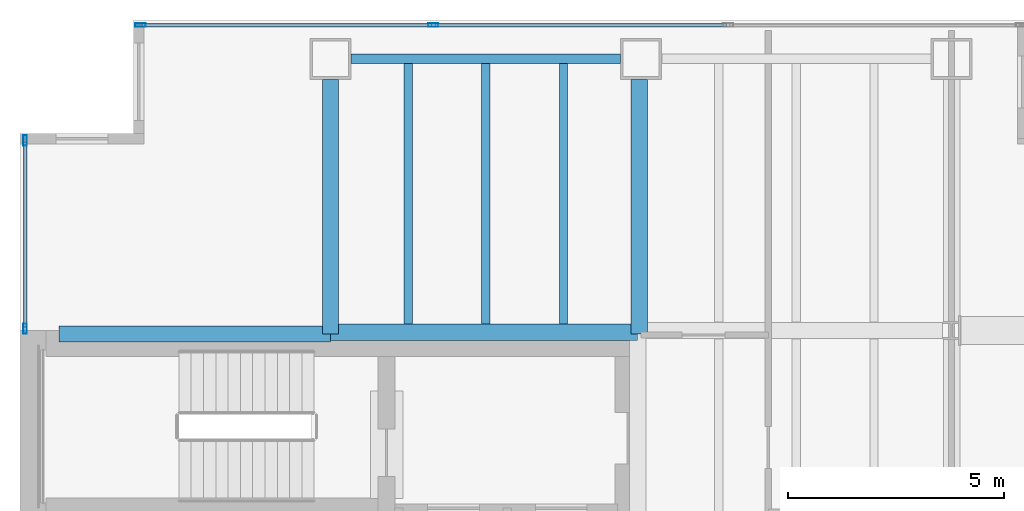
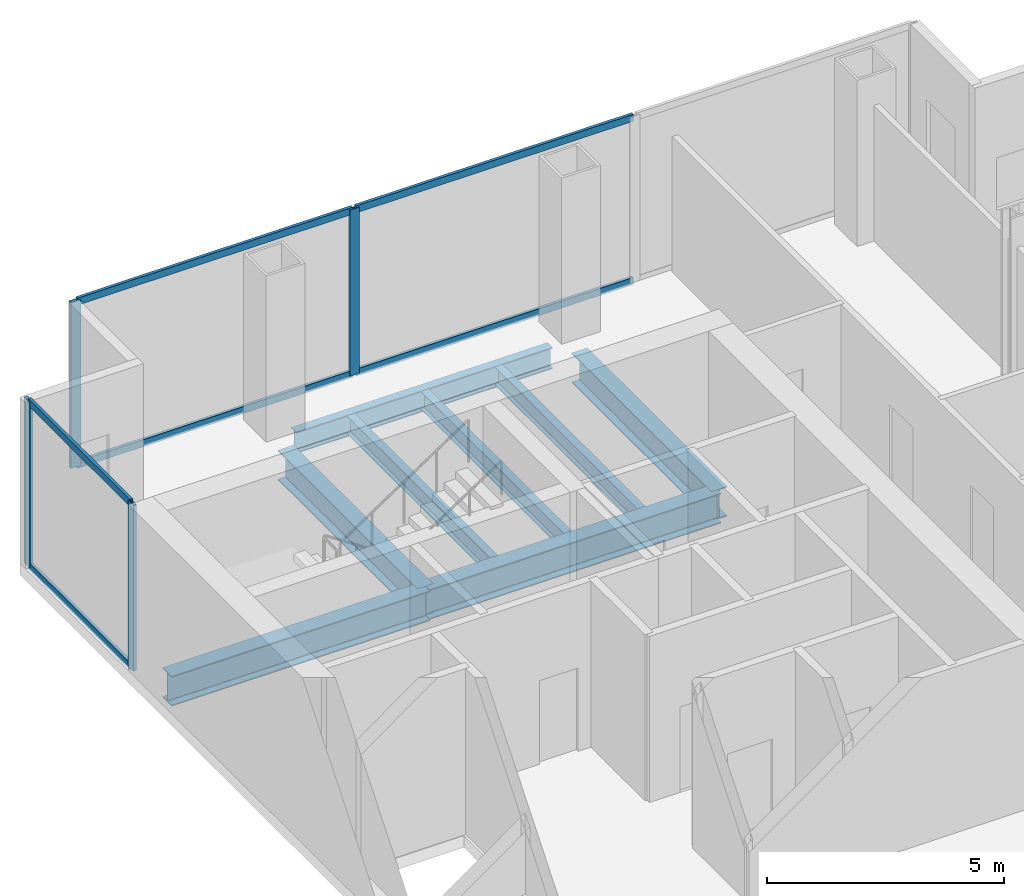
# One storey, part 9 of 16: 10 members, 8 beams, 2 elements without a shape of their own.
"""IFC4 building model written with IfcOpenShell, lengths in metres."""

from ifc_helpers import new_model, si_unit, direction, frame, origin, origin_2d, place, context, subcontext, project, spatial, hollow_rectangle, i_section, extrude, material, material_profile, profile_set, type_object, element, aggregate, save


model = new_model("IFC4")

# Units and contexts
model_context = context("Model", 3, precision=1e-05, world=origin(), true_north=direction((0.0, 1.0)))
body_context = subcontext(model_context, "Body", "Model", "MODEL_VIEW")
ifc_project = project(units=[si_unit("LENGTHUNIT", "METRE"), si_unit("AREAUNIT", "SQUARE_METRE"), si_unit("VOLUMEUNIT", "CUBIC_METRE"), si_unit("PLANEANGLEUNIT", "RADIAN"), si_unit("MASSUNIT", "GRAM", prefix="KILO")], contexts=[model_context])

# Site, building, storey
site_placement = place(None, origin())
site = spatial("IfcSite", under=ifc_project, at=site_placement, CompositionType="ELEMENT")
building_placement = place(site_placement, origin())
building = spatial("IfcBuilding", under=site, at=building_placement, Name="Cobrela Telecom Tower", CompositionType="ELEMENT")
storey_placement = place(building_placement, frame((0.0, 0.0, 97.64990234375)))
storey = spatial("IfcBuildingStorey", under=building, at=storey_placement, Name="L24", CompositionType="ELEMENT", Elevation=97.64990234375)

# Beams
ifc_material_1 = material(Name="Steel ASTM A992 Grade 50", Category="steel")
ifc_material_profile_1 = material_profile(ifc_material_1, i_section(OverallWidth=0.381103515625, OverallDepth=0.77197265625, WebThickness=0.0166015625, FlangeThickness=0.027099609375, FilletRadius=0.01904296875, at=origin_2d()), Name="W30X173")
ifc_profile_set_1 = profile_set([ifc_material_profile_1], Name="Steel ASTM A992 Grade 50")
beam_type_1 = type_object("IfcBeamType", Name="BM-GIRD-04", PredefinedType="USERDEFINED", material=ifc_profile_set_1)
beam_1_placement = place(storey_placement, frame((0.905029296875, 35.919921875, -0.685791015625), z_axis=(1.0, 0.0, 0.0), x_axis=(0.0, 1.0, 0.0)))
element("IfcBeam", 1, at=beam_1_placement, inside=storey, type_object=beam_type_1, Name="L24 Primary Girder X16", ObjectType="GIRDER", PredefinedType="USERDEFINED", context=body_context, shape_type="SweptSolid", body=[
    extrude(i_section(OverallWidth=0.381103515625, OverallDepth=0.77197265625, WebThickness=0.0166015625, FlangeThickness=0.027099609375, FilletRadius=0.01904296875, at=origin_2d()), origin(), (0.0, 0.0, 1.0), 6.2900390625),
])
beam_2_placement = place(storey_placement, frame((7.205078125, 35.9599609375, -0.685791015625), z_axis=(1.0, 0.0, 0.0), x_axis=(0.0, 1.0, 0.0)))
element("IfcBeam", 2, at=beam_2_placement, inside=storey, type_object=beam_type_1, Name="L24 Primary Girder X17", ObjectType="GIRDER", PredefinedType="USERDEFINED", context=body_context, shape_type="SweptSolid", body=[
    extrude(i_section(OverallWidth=0.381103515625, OverallDepth=0.77197265625, WebThickness=0.0166015625, FlangeThickness=0.027099609375, FilletRadius=0.01904296875, at=origin_2d()), origin(), (0.0, 0.0, 1.0), 7.10986328125),
])
for number, where, z_axis, x_axis, name in (
    (3, (7.199951171875, 35.925048828125, -0.685791015625), (0.0, 1.0, 0.0), (-1.0, 0.0, 0.0), "L24 Primary Girder Y21"),
    (4, (14.360107421875, 35.925048828125, -0.685791015625), (0.0, 1.0, 0.0), (-1.0, 0.0, 0.0), "L24 Primary Girder Y26"),
):
    element("IfcBeam", number, at=place(storey_placement, frame(where, z_axis=z_axis, x_axis=x_axis)), inside=storey, type_object=beam_type_1, Name=name, ObjectType="GIRDER", PredefinedType="USERDEFINED", context=body_context, shape_type="SweptSolid", body=[
        extrude(i_section(OverallWidth=0.381103515625, OverallDepth=0.77197265625, WebThickness=0.0166015625, FlangeThickness=0.027099609375, FilletRadius=0.01904296875, at=origin_2d()), origin(), (0.0, 0.0, 1.0), 5.89501953125),
    ])
ifc_material_profile_2 = material_profile(ifc_material_1, i_section(OverallWidth=0.193115234375, OverallDepth=0.467041015625, WebThickness=0.011474609375, FlangeThickness=0.01904296875, FilletRadius=0.012939453125, at=origin_2d()), Name="W18X65")
ifc_profile_set_2 = profile_set([ifc_material_profile_2], Name="Steel ASTM A992 Grade 50")
beam_type_2 = type_object("IfcBeamType", Name="BM-JOIST-03", PredefinedType="JOIST", material=ifc_profile_set_2)
for number, where, z_axis, x_axis, name in (
    (5, (9.0, 36.155517578125, -0.533447265625), (0.0, 1.0, 0.0), (-1.0, 0.0, 0.0), "L24 Secondary Composite Floor Beam J01"),
    (6, (10.800048828125, 36.155517578125, -0.533447265625), (0.0, 1.0, 0.0), (-1.0, 0.0, 0.0), "L24 Secondary Composite Floor Beam J02"),
    (7, (12.60009765625, 36.155517578125, -0.533447265625), (0.0, 1.0, 0.0), (-1.0, 0.0, 0.0), "L24 Secondary Composite Floor Beam J03"),
):
    element("IfcBeam", number, at=place(storey_placement, frame(where, z_axis=z_axis, x_axis=x_axis)), inside=storey, type_object=beam_type_2, Name=name, PredefinedType="JOIST", context=body_context, shape_type="SweptSolid", body=[
        extrude(i_section(OverallWidth=0.193115234375, OverallDepth=0.467041015625, WebThickness=0.011474609375, FlangeThickness=0.01904296875, FilletRadius=0.012939453125, at=origin_2d()), origin(), (0.0, 0.0, 1.0), 6.032958984375),
    ])
ifc_material_profile_3 = material_profile(ifc_material_1, i_section(OverallWidth=0.212890625, OverallDepth=0.549072265625, WebThickness=0.0146484375, FlangeThickness=0.023681640625, FilletRadius=0.013916015625, at=origin_2d()), Name="W21X93")
ifc_profile_set_3 = profile_set([ifc_material_profile_3], Name="Steel ASTM A992 Grade 50")
beam_type_3 = type_object("IfcBeamType", Name="BM-SPAND-03", PredefinedType="SPANDREL", material=ifc_profile_set_3)
beam_3_placement = place(storey_placement, frame((7.679931640625, 42.300048828125, -0.574462890625), z_axis=(1.0, 0.0, 0.0), x_axis=(0.0, 1.0, 0.0)))
element("IfcBeam", 8, at=beam_3_placement, inside=storey, type_object=beam_type_3, Name="L24 Perimeter Spandrel X19", PredefinedType="SPANDREL", context=body_context, shape_type="SweptSolid", body=[
    extrude(i_section(OverallWidth=0.212890625, OverallDepth=0.549072265625, WebThickness=0.0146484375, FlangeThickness=0.023681640625, FilletRadius=0.013916015625, at=origin_2d()), origin(), (0.0, 0.0, 1.0), 6.239990234375),
])

# Curtain wall, members
ifc_material_2 = material(Name="Anodized Bronze Aluminium 6063-T6", Category="aluminium")
curtain_wall_type = type_object("IfcCurtainWallType", Name="CW-SYS-SKY", PredefinedType="USERDEFINED", material=ifc_material_2)
curtain_wall_1_placement = place(storey_placement, origin())
curtain_wall_1 = element("IfcCurtainWall", 9, at=curtain_wall_1_placement, inside=storey, type_object=curtain_wall_type, Name="L24 Unitised Bronze Curtain Wall 04", ObjectType="UNITISED CURTAIN WALL", PredefinedType="USERDEFINED")
ifc_material_profile_4 = material_profile(ifc_material_2, hollow_rectangle(XDim=0.080078125, YDim=0.239990234375, WallThickness=0.0048828125, at=origin_2d()), Name="ALU 80x240x5")
ifc_profile_set_4 = profile_set([ifc_material_profile_4], Name="Anodized Bronze Aluminium 6063-T6")
member_type_1 = type_object("IfcMemberType", Name="CW-SYS-SKY-MUL", PredefinedType="MULLION", material=ifc_profile_set_4)
member_1_placement = place(storey_placement, frame((0.1201171875, 36.0400390625, 0.0), z_axis=(0.0, 0.0, 1.0), x_axis=(-1.0, 0.0, 0.0)))
member_1 = element("IfcMember", 10, at=member_1_placement, type_object=member_type_1, Name="CW-SKY mullion 1", PredefinedType="MULLION", context=body_context, shape_type="SweptSolid", body=[
    extrude(hollow_rectangle(XDim=0.080078125, YDim=0.239990234375, WallThickness=0.0048828125, at=origin_2d()), origin(), (0.0, 0.0, 1.0), 4.280029296875),
])
member_2_placement = place(storey_placement, frame((0.1201171875, 40.409912109375, 0.0), z_axis=(0.0, 0.0, 1.0), x_axis=(-1.0, 0.0, 0.0)))
member_2 = element("IfcMember", 11, at=member_2_placement, type_object=member_type_1, Name="CW-SKY mullion 2", PredefinedType="MULLION", context=body_context, shape_type="SweptSolid", body=[
    extrude(hollow_rectangle(XDim=0.080078125, YDim=0.239990234375, WallThickness=0.0048828125, at=origin_2d()), origin(), (0.0, 0.0, 1.0), 4.280029296875),
])

curtain_wall_2_placement = place(storey_placement, origin())
curtain_wall_2 = element("IfcCurtainWall", 12, at=curtain_wall_2_placement, inside=storey, type_object=curtain_wall_type, Name="L24 Unitised Bronze Curtain Wall 07", ObjectType="UNITISED CURTAIN WALL", PredefinedType="USERDEFINED")
member_3_placement = place(storey_placement, frame((2.7900390625, 43.080078125, 0.0), z_axis=(0.0, 0.0, 1.0), x_axis=(0.0, 1.0, 0.0)))
member_3 = element("IfcMember", 13, at=member_3_placement, type_object=member_type_1, Name="CW-SKY mullion 1", PredefinedType="MULLION", context=body_context, shape_type="SweptSolid", body=[
    extrude(hollow_rectangle(XDim=0.080078125, YDim=0.239990234375, WallThickness=0.0048828125, at=origin_2d()), origin(), (0.0, 0.0, 1.0), 4.280029296875),
])
member_4_placement = place(storey_placement, frame((9.583251953125, 43.080078125, 0.0), z_axis=(0.0, 0.0, 1.0), x_axis=(0.0, 1.0, 0.0)))
member_4 = element("IfcMember", 14, at=member_4_placement, type_object=member_type_1, Name="CW-SKY mullion 2", PredefinedType="MULLION", context=body_context, shape_type="SweptSolid", body=[
    extrude(hollow_rectangle(XDim=0.080078125, YDim=0.239990234375, WallThickness=0.0048828125, at=origin_2d()), origin(), (0.0, 0.0, 1.0), 4.280029296875),
])

# Member
ifc_material_profile_5 = material_profile(ifc_material_2, hollow_rectangle(XDim=0.074951171875, YDim=0.179931640625, WallThickness=0.00390625, at=origin_2d()), Name="ALU 75x180x4")
ifc_profile_set_5 = profile_set([ifc_material_profile_5], Name="Anodized Bronze Aluminium 6063-T6")
member_type_2 = type_object("IfcMemberType", Name="CW-SYS-SKY-TRN", PredefinedType="USERDEFINED", material=ifc_profile_set_5)
member_5_placement = place(storey_placement, frame((0.1201171875, 36.080078125, 0.03759765625), z_axis=(0.0, 1.0, 0.0), x_axis=(-1.0, 0.0, 0.0)))
member_5 = element("IfcMember", 15, at=member_5_placement, type_object=member_type_2, Name="CW-SKY transom 1.1", ObjectType="TRANSOM", PredefinedType="USERDEFINED", context=body_context, shape_type="SweptSolid", body=[
    extrude(hollow_rectangle(XDim=0.074951171875, YDim=0.179931640625, WallThickness=0.00390625, at=origin_2d()), origin(), (0.0, 0.0, 1.0), 4.2900390625),
])

member_6_placement = place(storey_placement, frame((0.1201171875, 36.080078125, 4.24267578125), z_axis=(0.0, 1.0, 0.0), x_axis=(-1.0, 0.0, 0.0)))
member_6 = element("IfcMember", 16, at=member_6_placement, type_object=member_type_2, Name="CW-SKY transom 1.2", ObjectType="TRANSOM", PredefinedType="USERDEFINED", context=body_context, shape_type="SweptSolid", body=[
    extrude(hollow_rectangle(XDim=0.074951171875, YDim=0.179931640625, WallThickness=0.00390625, at=origin_2d()), origin(), (0.0, 0.0, 1.0), 4.2900390625),
])

aggregate(curtain_wall_1, [member_1, member_2, member_5, member_6])

member_7_placement = place(storey_placement, frame((2.830078125, 43.080078125, 0.03759765625), z_axis=(1.0, 0.0, 0.0), x_axis=(0.0, 1.0, 0.0)))
member_7 = element("IfcMember", 17, at=member_7_placement, type_object=member_type_2, Name="CW-SKY transom 1.1", ObjectType="TRANSOM", PredefinedType="USERDEFINED", context=body_context, shape_type="SweptSolid", body=[
    extrude(hollow_rectangle(XDim=0.074951171875, YDim=0.179931640625, WallThickness=0.00390625, at=origin_2d()), origin(), (0.0, 0.0, 1.0), 6.713134765625),
])

member_8_placement = place(storey_placement, frame((2.830078125, 43.080078125, 4.24267578125), z_axis=(1.0, 0.0, 0.0), x_axis=(0.0, 1.0, 0.0)))
member_8 = element("IfcMember", 18, at=member_8_placement, type_object=member_type_2, Name="CW-SKY transom 1.2", ObjectType="TRANSOM", PredefinedType="USERDEFINED", context=body_context, shape_type="SweptSolid", body=[
    extrude(hollow_rectangle(XDim=0.074951171875, YDim=0.179931640625, WallThickness=0.00390625, at=origin_2d()), origin(), (0.0, 0.0, 1.0), 6.713134765625),
])

member_9_placement = place(storey_placement, frame((9.623291015625, 43.080078125, 0.03759765625), z_axis=(1.0, 0.0, 0.0), x_axis=(0.0, 1.0, 0.0)))
member_9 = element("IfcMember", 19, at=member_9_placement, type_object=member_type_2, Name="CW-SKY transom 2.1", ObjectType="TRANSOM", PredefinedType="USERDEFINED", context=body_context, shape_type="SweptSolid", body=[
    extrude(hollow_rectangle(XDim=0.074951171875, YDim=0.179931640625, WallThickness=0.00390625, at=origin_2d()), origin(), (0.0, 0.0, 1.0), 6.75341796875),
])

member_10_placement = place(storey_placement, frame((9.623291015625, 43.080078125, 4.24267578125), z_axis=(1.0, 0.0, 0.0), x_axis=(0.0, 1.0, 0.0)))
member_10 = element("IfcMember", 20, at=member_10_placement, type_object=member_type_2, Name="CW-SKY transom 2.2", ObjectType="TRANSOM", PredefinedType="USERDEFINED", context=body_context, shape_type="SweptSolid", body=[
    extrude(hollow_rectangle(XDim=0.074951171875, YDim=0.179931640625, WallThickness=0.00390625, at=origin_2d()), origin(), (0.0, 0.0, 1.0), 6.75341796875),
])

aggregate(curtain_wall_2, [member_3, member_4, member_7, member_8, member_9, member_10])

save(model, "model.ifc")
